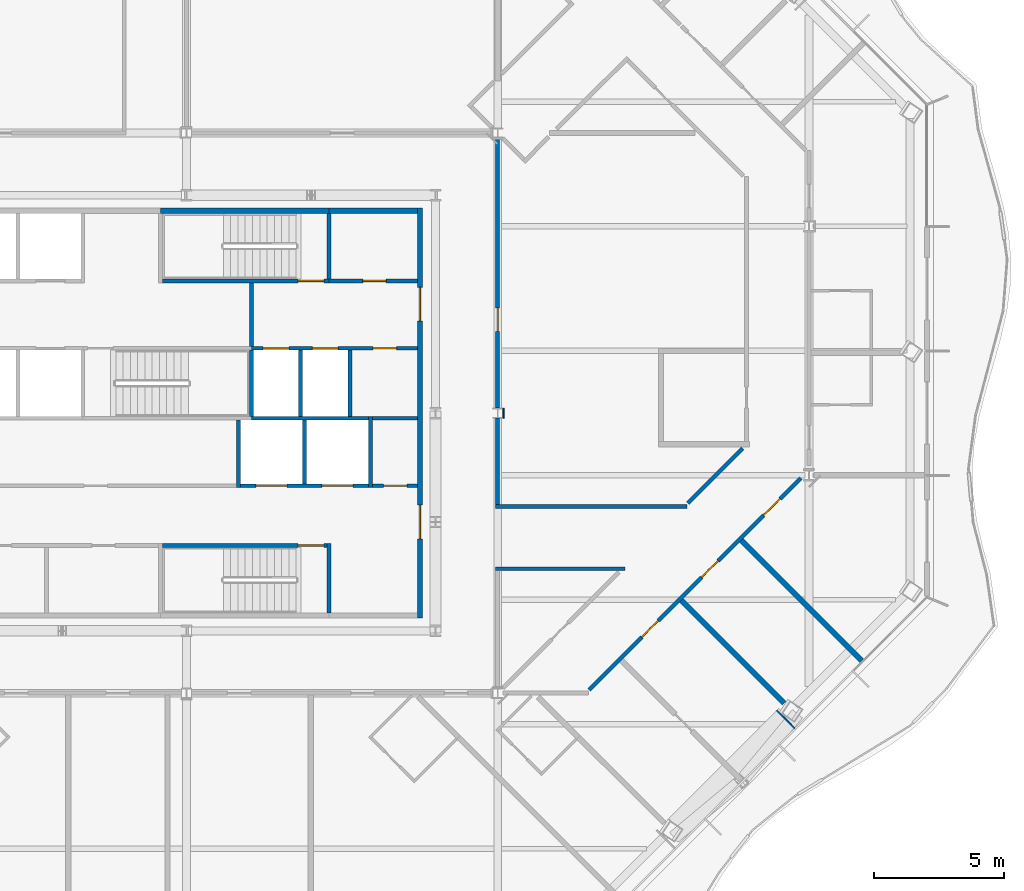
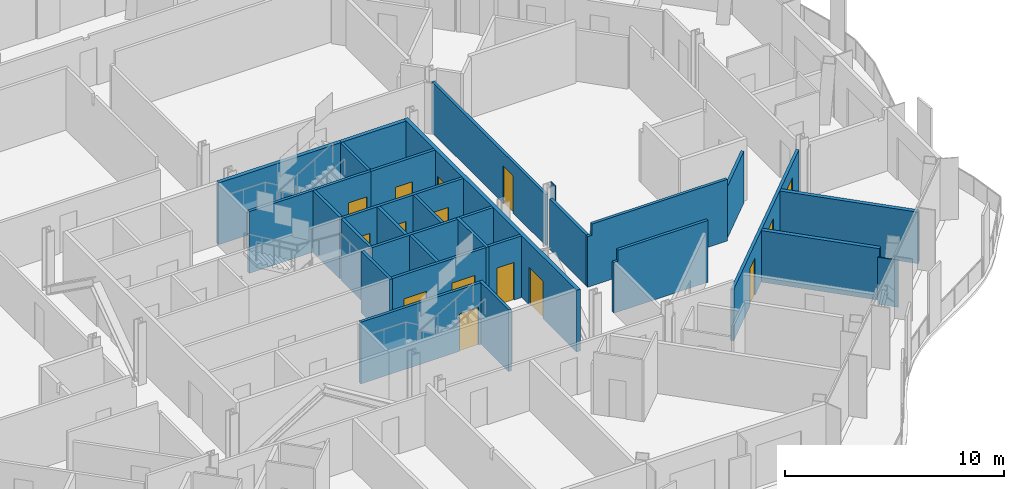
# One storey, part 10 of 21: 30 walls, 15 doors, 15 openings.
"""IFC4 building model written with IfcOpenShell, lengths in metres."""

from ifc_helpers import new_model, si_unit, direction, frame, frame_2d, origin, place, context, subcontext, project, spatial, polyline, rectangle, outline, extrude, material, layer, layer_set, type_object, element, fill, save


model = new_model("IFC4")

# Units and contexts
model_context = context("Model", 3, precision=1e-05, world=origin(), true_north=direction((0.0, 1.0)))
body_context = subcontext(model_context, "Body", "Model", "MODEL_VIEW")
ifc_project = project(units=[si_unit("LENGTHUNIT", "METRE"), si_unit("AREAUNIT", "SQUARE_METRE"), si_unit("VOLUMEUNIT", "CUBIC_METRE"), si_unit("PLANEANGLEUNIT", "RADIAN"), si_unit("MASSUNIT", "GRAM", prefix="KILO")], contexts=[model_context])

# Site, building, storey
site_placement = place(None, origin())
site = spatial("IfcSite", under=ifc_project, at=site_placement, CompositionType="ELEMENT")
building_placement = place(site_placement, origin())
building = spatial("IfcBuilding", under=site, at=building_placement, Name="Cairn Pilgrim Tower", CompositionType="ELEMENT")
storey_placement = place(building_placement, frame((0.0, 0.0, 172.199951171875)))
storey = spatial("IfcBuildingStorey", under=building, at=storey_placement, Name="L43", CompositionType="ELEMENT", Elevation=172.199951171875)

# Wall
ifc_material_1 = material(Name="Concrete C32/40", Category="concrete")
ifc_layer_1 = layer(ifc_material_1, 0.199951171875)
ifc_layer_set_1 = layer_set([ifc_layer_1], Name="CORE OUTER WALL 200 EI 120")
wall_type_1 = type_object("IfcWallType", Name="CORE OUTER WALL 200 EI 120", PredefinedType="SOLIDWALL", material=ifc_layer_set_1)
wall_1_placement = place(storey_placement, frame((12.699951171875, 10.199951171875, 0.0), z_axis=(0.0, 0.0, 1.0), x_axis=(1.0, 0.0, 0.0)))
element("IfcWall", 1, at=wall_1_placement, inside=storey, type_object=wall_type_1, Name="CW:L43:H12-3", PredefinedType="SOLIDWALL", context=body_context, shape_type="SweptSolid", body=[
    extrude(rectangle(XDim=3.400146484375, YDim=0.199951171875, at=frame_2d((1.7001953125, 0.0))), origin(), (0.0, 0.0, 1.0), 3.449951171875),
])

# Wall, openings, doors
wall_2_placement = place(storey_placement, frame((16.199951171875, -5.5, 0.0), z_axis=(0.0, 0.0, 1.0), x_axis=(0.0, 1.0, 0.0)))
wall_2 = element("IfcWall", 2, at=wall_2_placement, inside=storey, type_object=wall_type_1, Name="CW:L43:V30", PredefinedType="SOLIDWALL", context=body_context, shape_type="SweptSolid", body=[
    extrude(rectangle(XDim=15.800048828125, YDim=0.199951171875, at=frame_2d((7.89990234375, 0.0))), origin(), (0.0, 0.0, 1.0), 3.449951171875),
])
opening_1_placement = place(wall_2_placement, frame((3.050048828125, 0.0, 0.0)))
opening_1 = element("IfcOpeningElement", 3, at=opening_1_placement, cuts=wall_2, Name="Opening CD-E1", PredefinedType="OPENING", context=body_context, shape_type="SweptSolid", body=[
    extrude(rectangle(XDim=1.300048828125, YDim=2.10009765625, at=frame_2d((0.64990234375, 1.050048828125))), frame((0.0, 0.10986328125, 0.0), z_axis=(0.0, -1.0, 0.0), x_axis=(1.0, 0.0, 0.0)), (0.0, 0.0, 1.0), 0.219970703125),
])
opening_2_placement = place(wall_2_placement, frame((11.449951171875, 0.0, 0.0)))
opening_2 = element("IfcOpeningElement", 4, at=opening_2_placement, cuts=wall_2, Name="Opening CD-E2", PredefinedType="OPENING", context=body_context, shape_type="SweptSolid", body=[
    extrude(rectangle(XDim=1.300048828125, YDim=2.10009765625, at=frame_2d((0.64990234375, 1.050048828125))), frame((0.0, 0.10986328125, 0.0), z_axis=(0.0, -1.0, 0.0), x_axis=(1.0, 0.0, 0.0)), (0.0, 0.0, 1.0), 0.219970703125),
])
ifc_material_2 = material(Name="Painted steel", Category="steel")
door_type_1 = type_object("IfcDoorType", Name="CORE LOBBY DOOR 1300x2100", OperationType="DOUBLE_DOOR_SINGLE_SWING", PredefinedType="DOOR", material=ifc_material_2)
door_1_placement = place(opening_1_placement, origin())
door_1 = element("IfcDoor", 5, at=door_1_placement, inside=storey, type_object=door_type_1, Name="CD-E1", OperationType="DOUBLE_DOOR_SINGLE_SWING", OverallHeight=2.10009765625, OverallWidth=1.300048828125, PredefinedType="DOOR", context=body_context, shape_type="SweptSolid", body=[
    extrude(rectangle(XDim=1.300048828125, YDim=2.10009765625, at=frame_2d((0.64990234375, 1.050048828125))), frame((0.0, 0.02490234375, 0.0), z_axis=(0.0, -1.0, 0.0), x_axis=(1.0, 0.0, 0.0)), (0.0, 0.0, 1.0), 0.050048828125),
])
fill(opening_1, door_1)
door_2_placement = place(opening_2_placement, origin())
door_2 = element("IfcDoor", 6, at=door_2_placement, inside=storey, type_object=door_type_1, Name="CD-E2", OperationType="DOUBLE_DOOR_SINGLE_SWING", OverallHeight=2.10009765625, OverallWidth=1.300048828125, PredefinedType="DOOR", context=body_context, shape_type="SweptSolid", body=[
    extrude(rectangle(XDim=1.300048828125, YDim=2.10009765625, at=frame_2d((0.64990234375, 1.050048828125))), frame((0.0, 0.02490234375, 0.0), z_axis=(0.0, -1.0, 0.0), x_axis=(1.0, 0.0, 0.0)), (0.0, 0.0, 1.0), 0.050048828125),
])
fill(opening_2, door_2)

# Wall, opening, door
ifc_layer_2 = layer(ifc_material_1, 0.14990234375)
ifc_layer_set_2 = layer_set([ifc_layer_2], Name="CORE PARTITION 150 EI 60")
wall_type_2 = type_object("IfcWallType", Name="CORE PARTITION 150 EI 60", PredefinedType="PARTITIONING", material=ifc_layer_set_2)
wall_3_placement = place(storey_placement, frame((14.375, -0.39990234375, 0.0), z_axis=(0.0, 0.0, 1.0), x_axis=(1.0, 0.0, 0.0)))
wall_3 = element("IfcWall", 7, at=wall_3_placement, inside=storey, type_object=wall_type_2, Name="CW:L43:H06", PredefinedType="PARTITIONING", context=body_context, shape_type="SweptSolid", body=[
    extrude(rectangle(XDim=1.72509765625, YDim=0.14990234375, at=frame_2d((0.862548828125, 0.0))), origin(), (0.0, 0.0, 1.0), 3.449951171875),
])
opening_3_placement = place(wall_3_placement, frame((0.425048828125, 0.0, 0.0)))
opening_3 = element("IfcOpeningElement", 8, at=opening_3_placement, cuts=wall_3, Name="Opening RD-R2E", PredefinedType="OPENING", context=body_context, shape_type="SweptSolid", body=[
    extrude(rectangle(XDim=0.89990234375, YDim=2.10009765625, at=frame_2d((0.449951171875, 1.050048828125))), frame((0.0, 0.0849609375, 0.0), z_axis=(0.0, -1.0, 0.0), x_axis=(1.0, 0.0, 0.0)), (0.0, 0.0, 1.0), 0.169921875),
])
door_type_2 = type_object("IfcDoorType", Name="SERVICE ROOM DOOR 900x2100", OperationType="SINGLE_SWING_LEFT", PredefinedType="DOOR", material=ifc_material_2)
door_3_placement = place(opening_3_placement, origin())
door_3 = element("IfcDoor", 9, at=door_3_placement, inside=storey, type_object=door_type_2, Name="RD-R2E", OperationType="SINGLE_SWING_LEFT", OverallHeight=2.10009765625, OverallWidth=0.89990234375, PredefinedType="DOOR", context=body_context, shape_type="SweptSolid", body=[
    extrude(rectangle(XDim=0.89990234375, YDim=2.10009765625, at=frame_2d((0.449951171875, 1.050048828125))), frame((0.0, 0.02490234375, 0.0), z_axis=(0.0, -1.0, 0.0), x_axis=(1.0, 0.0, 0.0)), (0.0, 0.0, 1.0), 0.050048828125),
])
fill(opening_3, door_3)

# Wall
wall_4_placement = place(storey_placement, frame((14.375, 2.199951171875, 0.0), z_axis=(0.0, 0.0, 1.0), x_axis=(1.0, 0.0, 0.0)))
element("IfcWall", 10, at=wall_4_placement, inside=storey, type_object=wall_type_2, Name="CW:L43:H08", PredefinedType="PARTITIONING", context=body_context, shape_type="SweptSolid", body=[
    extrude(rectangle(XDim=1.72509765625, YDim=0.14990234375, at=frame_2d((0.862548828125, 0.0))), origin(), (0.0, 0.0, 1.0), 3.449951171875),
])

# Wall, openings, doors
ifc_layer_3 = layer(ifc_material_1, 0.14990234375)
ifc_layer_set_3 = layer_set([ifc_layer_3], Name="CORE SHAFT WALL 150 EI 120")
wall_type_3 = type_object("IfcWallType", Name="CORE SHAFT WALL 150 EI 120", PredefinedType="SOLIDWALL", material=ifc_layer_set_3)
wall_5_placement = place(storey_placement, frame((9.27490234375, -0.39990234375, 0.0), z_axis=(0.0, 0.0, 1.0), x_axis=(1.0, 0.0, 0.0)))
wall_5 = element("IfcWall", 11, at=wall_5_placement, inside=storey, type_object=wall_type_3, Name="CW:L43:H05", PredefinedType="SOLIDWALL", context=body_context, shape_type="SweptSolid", body=[
    extrude(rectangle(XDim=4.9501953125, YDim=0.14990234375, at=frame_2d((2.47509765625, 0.0))), origin(), (0.0, 0.0, 1.0), 3.449951171875),
])
opening_4_placement = place(wall_5_placement, frame((0.60009765625, 0.0, 0.0)))
opening_4 = element("IfcOpeningElement", 12, at=opening_4_placement, cuts=wall_5, Name="Opening LD-SV1", PredefinedType="OPENING", context=body_context, shape_type="SweptSolid", body=[
    extrude(rectangle(XDim=1.199951171875, YDim=2.10009765625, at=frame_2d((0.60009765625, 1.050048828125))), frame((0.0, 0.0849609375, 0.0), z_axis=(0.0, -1.0, 0.0), x_axis=(1.0, 0.0, 0.0)), (0.0, 0.0, 1.0), 0.169921875),
])
opening_5_placement = place(wall_5_placement, frame((3.14990234375, 0.0, 0.0)))
opening_5 = element("IfcOpeningElement", 13, at=opening_5_placement, cuts=wall_5, Name="Opening LD-SV2", PredefinedType="OPENING", context=body_context, shape_type="SweptSolid", body=[
    extrude(rectangle(XDim=1.199951171875, YDim=2.10009765625, at=frame_2d((0.60009765625, 1.050048828125))), frame((0.0, 0.0849609375, 0.0), z_axis=(0.0, -1.0, 0.0), x_axis=(1.0, 0.0, 0.0)), (0.0, 0.0, 1.0), 0.169921875),
])
ifc_material_3 = material(Name="Stainless steel", Category="steel")
door_type_3 = type_object("IfcDoorType", Name="LIFT LANDING DOOR 1200x2100", OperationType="DOUBLE_DOOR_SLIDING", PredefinedType="DOOR", material=ifc_material_3)
door_4_placement = place(opening_4_placement, origin())
door_4 = element("IfcDoor", 14, at=door_4_placement, inside=storey, type_object=door_type_3, Name="LANDING DOOR SV1", OperationType="DOUBLE_DOOR_SLIDING", OverallHeight=2.10009765625, OverallWidth=1.199951171875, PredefinedType="DOOR", context=body_context, shape_type="SweptSolid", body=[
    extrude(rectangle(XDim=1.199951171875, YDim=2.10009765625, at=frame_2d((0.60009765625, 1.050048828125))), frame((0.0, 0.02490234375, 0.0), z_axis=(0.0, -1.0, 0.0), x_axis=(1.0, 0.0, 0.0)), (0.0, 0.0, 1.0), 0.050048828125),
])
fill(opening_4, door_4)
door_5_placement = place(opening_5_placement, origin())
door_5 = element("IfcDoor", 15, at=door_5_placement, inside=storey, type_object=door_type_3, Name="LANDING DOOR SV2", OperationType="DOUBLE_DOOR_SLIDING", OverallHeight=2.10009765625, OverallWidth=1.199951171875, PredefinedType="DOOR", context=body_context, shape_type="SweptSolid", body=[
    extrude(rectangle(XDim=1.199951171875, YDim=2.10009765625, at=frame_2d((0.60009765625, 1.050048828125))), frame((0.0, 0.02490234375, 0.0), z_axis=(0.0, -1.0, 0.0), x_axis=(1.0, 0.0, 0.0)), (0.0, 0.0, 1.0), 0.050048828125),
])
fill(opening_5, door_5)

# Wall
wall_6_placement = place(storey_placement, frame((9.699951171875, 2.199951171875, 0.0), z_axis=(0.0, 0.0, 1.0), x_axis=(1.0, 0.0, 0.0)))
element("IfcWall", 16, at=wall_6_placement, inside=storey, type_object=wall_type_3, Name="CW:L43:H07-3", PredefinedType="SOLIDWALL", context=body_context, shape_type="SweptSolid", body=[
    extrude(rectangle(XDim=4.525146484375, YDim=0.14990234375, at=frame_2d((2.2626953125, 0.0))), origin(), (0.0, 0.0, 1.0), 3.449951171875),
])

# Wall, openings, doors
wall_7_placement = place(storey_placement, frame((9.699951171875, 4.89990234375, 0.0), z_axis=(0.0, 0.0, 1.0), x_axis=(1.0, 0.0, 0.0)))
wall_7 = element("IfcWall", 17, at=wall_7_placement, inside=storey, type_object=wall_type_3, Name="CW:L43:H09-3", PredefinedType="SOLIDWALL", context=body_context, shape_type="SweptSolid", body=[
    extrude(rectangle(XDim=6.400146484375, YDim=0.14990234375, at=frame_2d((3.2001953125, 0.0))), origin(), (0.0, 0.0, 1.0), 3.449951171875),
])
opening_6_placement = place(wall_7_placement, frame((0.449951171875, 0.0, 0.0)))
opening_6 = element("IfcOpeningElement", 18, at=opening_6_placement, cuts=wall_7, Name="Opening LD-FF1", PredefinedType="OPENING", context=body_context, shape_type="SweptSolid", body=[
    extrude(rectangle(XDim=1.0, YDim=2.10009765625, at=frame_2d((0.5, 1.050048828125))), frame((0.0, 0.0849609375, 0.0), z_axis=(0.0, -1.0, 0.0), x_axis=(1.0, 0.0, 0.0)), (0.0, 0.0, 1.0), 0.169921875),
])
opening_7_placement = place(wall_7_placement, frame((2.35009765625, 0.0, 0.0)))
opening_7 = element("IfcOpeningElement", 19, at=opening_7_placement, cuts=wall_7, Name="Opening LD-FF2", PredefinedType="OPENING", context=body_context, shape_type="SweptSolid", body=[
    extrude(rectangle(XDim=1.0, YDim=2.10009765625, at=frame_2d((0.5, 1.050048828125))), frame((0.0, 0.0849609375, 0.0), z_axis=(0.0, -1.0, 0.0), x_axis=(1.0, 0.0, 0.0)), (0.0, 0.0, 1.0), 0.169921875),
])
opening_8_placement = place(wall_7_placement, frame((4.699951171875, 0.0, 0.0)))
opening_8 = element("IfcOpeningElement", 20, at=opening_8_placement, cuts=wall_7, Name="Opening RD-R3E", PredefinedType="OPENING", context=body_context, shape_type="SweptSolid", body=[
    extrude(rectangle(XDim=0.89990234375, YDim=2.10009765625, at=frame_2d((0.449951171875, 1.050048828125))), frame((0.0, 0.0849609375, 0.0), z_axis=(0.0, -1.0, 0.0), x_axis=(1.0, 0.0, 0.0)), (0.0, 0.0, 1.0), 0.169921875),
])
door_type_4 = type_object("IfcDoorType", Name="LIFT LANDING DOOR FIRE 1000x2100", OperationType="DOUBLE_DOOR_SLIDING", PredefinedType="DOOR", material=ifc_material_3)
door_6_placement = place(opening_6_placement, origin())
door_6 = element("IfcDoor", 21, at=door_6_placement, inside=storey, type_object=door_type_4, Name="LANDING DOOR FF1", OperationType="DOUBLE_DOOR_SLIDING", OverallHeight=2.10009765625, OverallWidth=1.0, PredefinedType="DOOR", context=body_context, shape_type="SweptSolid", body=[
    extrude(rectangle(XDim=1.0, YDim=2.10009765625, at=frame_2d((0.5, 1.050048828125))), frame((0.0, 0.02490234375, 0.0), z_axis=(0.0, -1.0, 0.0), x_axis=(1.0, 0.0, 0.0)), (0.0, 0.0, 1.0), 0.050048828125),
])
fill(opening_6, door_6)
door_7_placement = place(opening_7_placement, origin())
door_7 = element("IfcDoor", 22, at=door_7_placement, inside=storey, type_object=door_type_4, Name="LANDING DOOR FF2", OperationType="DOUBLE_DOOR_SLIDING", OverallHeight=2.10009765625, OverallWidth=1.0, PredefinedType="DOOR", context=body_context, shape_type="SweptSolid", body=[
    extrude(rectangle(XDim=1.0, YDim=2.10009765625, at=frame_2d((0.5, 1.050048828125))), frame((0.0, 0.02490234375, 0.0), z_axis=(0.0, -1.0, 0.0), x_axis=(1.0, 0.0, 0.0)), (0.0, 0.0, 1.0), 0.050048828125),
])
fill(opening_7, door_7)
door_8_placement = place(opening_8_placement, origin())
door_8 = element("IfcDoor", 23, at=door_8_placement, inside=storey, type_object=door_type_2, Name="RD-R3E", OperationType="SINGLE_SWING_RIGHT", OverallHeight=2.10009765625, OverallWidth=0.89990234375, PredefinedType="DOOR", context=body_context, shape_type="SweptSolid", body=[
    extrude(rectangle(XDim=0.89990234375, YDim=2.10009765625, at=frame_2d((0.449951171875, 1.050048828125))), frame((0.0, 0.02490234375, 0.0), z_axis=(0.0, -1.0, 0.0), x_axis=(1.0, 0.0, 0.0)), (0.0, 0.0, 1.0), 0.050048828125),
])
fill(opening_8, door_8)

# Wall, opening, door
wall_8_placement = place(storey_placement, frame((12.699951171875, 7.5, 0.0), z_axis=(0.0, 0.0, 1.0), x_axis=(1.0, 0.0, 0.0)))
wall_8 = element("IfcWall", 24, at=wall_8_placement, inside=storey, type_object=wall_type_3, Name="CW:L43:H11-2", PredefinedType="SOLIDWALL", context=body_context, shape_type="SweptSolid", body=[
    extrude(rectangle(XDim=3.400146484375, YDim=0.14990234375, at=frame_2d((1.7001953125, 0.0))), origin(), (0.0, 0.0, 1.0), 3.449951171875),
])
opening_9_placement = place(wall_8_placement, frame((1.300048828125, 0.0, 0.0)))
opening_9 = element("IfcOpeningElement", 25, at=opening_9_placement, cuts=wall_8, Name="Opening RD-R4E", PredefinedType="OPENING", context=body_context, shape_type="SweptSolid", body=[
    extrude(rectangle(XDim=0.89990234375, YDim=2.10009765625, at=frame_2d((0.449951171875, 1.050048828125))), frame((0.0, 0.0849609375, 0.0), z_axis=(0.0, -1.0, 0.0), x_axis=(1.0, 0.0, 0.0)), (0.0, 0.0, 1.0), 0.169921875),
])
door_9_placement = place(opening_9_placement, origin())
door_9 = element("IfcDoor", 26, at=door_9_placement, inside=storey, type_object=door_type_2, Name="RD-R4E", OperationType="SINGLE_SWING_LEFT", OverallHeight=2.10009765625, OverallWidth=0.89990234375, PredefinedType="DOOR", context=body_context, shape_type="SweptSolid", body=[
    extrude(rectangle(XDim=0.89990234375, YDim=2.10009765625, at=frame_2d((0.449951171875, 1.050048828125))), frame((0.0, 0.02490234375, 0.0), z_axis=(0.0, -1.0, 0.0), x_axis=(1.0, 0.0, 0.0)), (0.0, 0.0, 1.0), 0.050048828125),
])
fill(opening_9, door_9)

# Walls
wall_9_placement = place(storey_placement, frame((9.199951171875, -0.47509765625, 0.0), z_axis=(0.0, 0.0, 1.0), x_axis=(0.0, 1.0, 0.0)))
element("IfcWall", 27, at=wall_9_placement, inside=storey, type_object=wall_type_3, Name="CW:L43:V21", PredefinedType="SOLIDWALL", context=body_context, shape_type="SweptSolid", body=[
    extrude(rectangle(XDim=2.60009765625, YDim=0.14990234375, at=frame_2d((1.300048828125, 0.0))), origin(), (0.0, 0.0, 1.0), 3.449951171875),
])
wall_10_placement = place(storey_placement, frame((9.699951171875, 4.97509765625, 0.0), z_axis=(0.0, 0.0, 1.0), x_axis=(0.0, 1.0, 0.0)))
element("IfcWall", 28, at=wall_10_placement, inside=storey, type_object=wall_type_3, Name="CW:L43:V23", PredefinedType="SOLIDWALL", context=body_context, shape_type="SweptSolid", body=[
    extrude(rectangle(XDim=2.449951171875, YDim=0.14990234375, at=frame_2d((1.22509765625, 0.0))), origin(), (0.0, 0.0, 1.0), 3.449951171875),
])
wall_11_placement = place(storey_placement, frame((11.60009765625, 2.27490234375, 0.0), z_axis=(0.0, 0.0, 1.0), x_axis=(0.0, 1.0, 0.0)))
element("IfcWall", 29, at=wall_11_placement, inside=storey, type_object=wall_type_3, Name="CW:L43:V24", PredefinedType="SOLIDWALL", context=body_context, shape_type="SweptSolid", body=[
    extrude(rectangle(XDim=2.550048828125, YDim=0.14990234375, at=frame_2d((1.27490234375, 0.0))), origin(), (0.0, 0.0, 1.0), 3.449951171875),
])
wall_12_placement = place(storey_placement, frame((11.75, -0.324951171875, 0.0), z_axis=(0.0, 0.0, 1.0), x_axis=(0.0, 1.0, 0.0)))
element("IfcWall", 30, at=wall_12_placement, inside=storey, type_object=wall_type_3, Name="CW:L43:V25", PredefinedType="SOLIDWALL", context=body_context, shape_type="SweptSolid", body=[
    extrude(rectangle(XDim=2.449951171875, YDim=0.14990234375, at=frame_2d((1.22509765625, 0.0))), origin(), (0.0, 0.0, 1.0), 3.449951171875),
])
wall_13_placement = place(storey_placement, frame((13.5, 2.27490234375, 0.0), z_axis=(0.0, 0.0, 1.0), x_axis=(0.0, 1.0, 0.0)))
element("IfcWall", 31, at=wall_13_placement, inside=storey, type_object=wall_type_3, Name="CW:L43:V28", PredefinedType="SOLIDWALL", context=body_context, shape_type="SweptSolid", body=[
    extrude(rectangle(XDim=2.550048828125, YDim=0.14990234375, at=frame_2d((1.27490234375, 0.0))), origin(), (0.0, 0.0, 1.0), 3.449951171875),
])
wall_14_placement = place(storey_placement, frame((14.300048828125, -0.47509765625, 0.0), z_axis=(0.0, 0.0, 1.0), x_axis=(0.0, 1.0, 0.0)))
element("IfcWall", 32, at=wall_14_placement, inside=storey, type_object=wall_type_3, Name="CW:L43:V29", PredefinedType="SOLIDWALL", context=body_context, shape_type="SweptSolid", body=[
    extrude(rectangle(XDim=2.75, YDim=0.14990234375, at=frame_2d((1.375, 0.0))), origin(), (0.0, 0.0, 1.0), 3.449951171875),
])

# Wall, openings, doors
ifc_material_4 = material(Name="Gypsum partition")
ifc_layer_4 = layer(ifc_material_4, 0.14990234375)
ifc_layer_set_4 = layer_set([ifc_layer_4], Name="PARTITION 150 DRYWALL EI 60")
wall_type_4 = type_object("IfcWallType", Name="PARTITION 150 DRYWALL EI 60", PredefinedType="PARTITIONING", material=ifc_layer_set_4)
wall_15_placement = place(storey_placement, frame((22.721923828125, -8.27197265625, 0.0), z_axis=(0.0, 0.0, 1.0), x_axis=(0.707106781187, 0.707106781187, 0.0)))
wall_15 = element("IfcWall", 33, at=wall_15_placement, inside=storey, type_object=wall_type_4, Name="PARTITION W034", PredefinedType="PARTITIONING", context=body_context, shape_type="SweptSolid", body=[
    extrude(rectangle(XDim=11.549072265625, YDim=0.14990234375, at=frame_2d((5.7744140625, 0.0))), origin(), (0.0, 0.0, 1.0), 2.880126953125),
])
opening_10_placement = place(wall_15_placement, frame((2.873291015625, 0.0, 0.0)))
opening_10 = element("IfcOpeningElement", 34, at=opening_10_placement, cuts=wall_15, Name="Opening 4305", PredefinedType="OPENING", context=body_context, shape_type="SweptSolid", body=[
    extrude(rectangle(XDim=0.89990234375, YDim=2.10009765625, at=frame_2d((0.449951171875, 1.050048828125))), frame((0.0, 0.0849609375, 0.0), z_axis=(0.0, -1.0, 0.0), x_axis=(1.0, 0.0, 0.0)), (0.0, 0.0, 1.0), 0.169921875),
])
opening_11_placement = place(wall_15_placement, frame((6.142822265625, 0.0, 0.0)))
opening_11 = element("IfcOpeningElement", 35, at=opening_11_placement, cuts=wall_15, Name="Opening 4306", PredefinedType="OPENING", context=body_context, shape_type="SweptSolid", body=[
    extrude(rectangle(XDim=0.89990234375, YDim=2.10009765625, at=frame_2d((0.449951171875, 1.050048828125))), frame((0.0, 0.0849609375, 0.0), z_axis=(0.0, -1.0, 0.0), x_axis=(1.0, 0.0, 0.0)), (0.0, 0.0, 1.0), 0.169921875),
])
opening_12_placement = place(wall_15_placement, frame((9.513427734375, 0.0, 0.0)))
opening_12 = element("IfcOpeningElement", 36, at=opening_12_placement, cuts=wall_15, Name="Opening 4307", PredefinedType="OPENING", context=body_context, shape_type="SweptSolid", body=[
    extrude(rectangle(XDim=0.89990234375, YDim=2.10009765625, at=frame_2d((0.449951171875, 1.050048828125))), frame((0.0, 0.0849609375, 0.0), z_axis=(0.0, -1.0, 0.0), x_axis=(1.0, 0.0, 0.0)), (0.0, 0.0, 1.0), 0.169921875),
])
ifc_material_5 = material(Name="Timber door leaf", Category="wood")
door_type_5 = type_object("IfcDoorType", Name="ROOM DOOR 900x2100 FD30S", OperationType="NOTDEFINED", PredefinedType="DOOR", material=ifc_material_5)
door_10_placement = place(opening_11_placement, frame((0.89990234375, 0.0, 0.0), z_axis=(0.0, 0.0, 1.0), x_axis=(-1.0, 0.0, 0.0)))
door_10 = element("IfcDoor", 37, at=door_10_placement, inside=storey, type_object=door_type_5, Name="DOOR 4306", OperationType="SINGLE_SWING_RIGHT", OverallHeight=2.10009765625, OverallWidth=0.89990234375, PredefinedType="DOOR", context=body_context, shape_type="SweptSolid", body=[
    extrude(rectangle(XDim=0.89990234375, YDim=2.10009765625, at=frame_2d((0.449951171875, 1.050048828125))), frame((0.0, 0.02490234375, 0.0), z_axis=(0.0, -1.0, 0.0), x_axis=(1.0, 0.0, 0.0)), (0.0, 0.0, 1.0), 0.050048828125),
])
fill(opening_11, door_10)
door_11_placement = place(opening_12_placement, frame((0.89990234375, 0.0, 0.0), z_axis=(0.0, 0.0, 1.0), x_axis=(-1.0, 0.0, 0.0)))
door_11 = element("IfcDoor", 38, at=door_11_placement, inside=storey, type_object=door_type_5, Name="DOOR 4307", OperationType="SINGLE_SWING_RIGHT", OverallHeight=2.10009765625, OverallWidth=0.89990234375, PredefinedType="DOOR", context=body_context, shape_type="SweptSolid", body=[
    extrude(rectangle(XDim=0.89990234375, YDim=2.10009765625, at=frame_2d((0.449951171875, 1.050048828125))), frame((0.0, 0.02490234375, 0.0), z_axis=(0.0, -1.0, 0.0), x_axis=(1.0, 0.0, 0.0)), (0.0, 0.0, 1.0), 0.050048828125),
])
fill(opening_12, door_11)
door_type_6 = type_object("IfcDoorType", Name="SERVICE DOOR 900x2100 FD30S", OperationType="NOTDEFINED", PredefinedType="DOOR", material=ifc_material_5)
door_12_placement = place(opening_10_placement, frame((0.89990234375, 0.0, 0.0), z_axis=(0.0, 0.0, 1.0), x_axis=(-1.0, 0.0, 0.0)))
door_12 = element("IfcDoor", 39, at=door_12_placement, inside=storey, type_object=door_type_6, Name="DOOR 4305", OperationType="SINGLE_SWING_RIGHT", OverallHeight=2.10009765625, OverallWidth=0.89990234375, PredefinedType="DOOR", context=body_context, shape_type="SweptSolid", body=[
    extrude(rectangle(XDim=0.89990234375, YDim=2.10009765625, at=frame_2d((0.449951171875, 1.050048828125))), frame((0.0, 0.02490234375, 0.0), z_axis=(0.0, -1.0, 0.0), x_axis=(1.0, 0.0, 0.0)), (0.0, 0.0, 1.0), 0.050048828125),
])
fill(opening_10, door_12)

# Walls
wall_16_placement = place(storey_placement, frame((19.125, -3.60009765625, 0.0), z_axis=(0.0, 0.0, 1.0), x_axis=(1.0, 0.0, 0.0)))
element("IfcWall", 40, at=wall_16_placement, inside=storey, type_object=wall_type_4, Name="PARTITION W042", PredefinedType="PARTITIONING", context=body_context, shape_type="SweptSolid", body=[
    extrude(outline(polyline([(0.0, 0.0), (4.981201171875, 0.0), (4.981201171875, 3.449951171875), (0.22509765625, 3.449951171875), (0.222900390625, 2.830078125), (0.0, 2.830078125), (0.0, 0.0)])), frame((0.0, 0.074951171875, 0.0), z_axis=(0.0, -1.0, 0.0), x_axis=(1.0, 0.0, 0.0)), (0.0, 0.0, 1.0), 0.14990234375),
])
wall_17_placement = place(storey_placement, frame((19.125, -1.199951171875, 0.0), z_axis=(0.0, 0.0, 1.0), x_axis=(1.0, 0.0, 0.0)))
element("IfcWall", 41, at=wall_17_placement, inside=storey, type_object=wall_type_4, Name="PARTITION W044", PredefinedType="PARTITIONING", context=body_context, shape_type="SweptSolid", body=[
    extrude(outline(polyline([(0.0, 0.0), (7.381103515625, 0.0), (7.381103515625, 3.449951171875), (0.22509765625, 3.449951171875), (0.222900390625, 2.830078125), (0.0, 2.830078125), (0.0, 0.0)])), frame((0.0, 0.074951171875, 0.0), z_axis=(0.0, -1.0, 0.0), x_axis=(1.0, 0.0, 0.0)), (0.0, 0.0, 1.0), 0.14990234375),
])
wall_18_placement = place(storey_placement, frame((19.199951171875, -1.125, 0.0), z_axis=(0.0, 0.0, 1.0), x_axis=(0.0, 1.0, 0.0)))
element("IfcWall", 42, at=wall_18_placement, inside=storey, type_object=wall_type_4, Name="PARTITION W048", PredefinedType="PARTITIONING", context=body_context, shape_type="SweptSolid", body=[
    extrude(rectangle(XDim=3.32861328125, YDim=0.14990234375, at=frame_2d((1.664306640625, 0.0))), origin(), (0.0, 0.0, 1.0), 2.830078125),
])
wall_19_placement = place(storey_placement, frame((26.528076171875, -1.072021484375, 0.0), z_axis=(0.0, 0.0, 1.0), x_axis=(0.707106781187, 0.707106781187, 0.0)))
element("IfcWall", 43, at=wall_19_placement, inside=storey, type_object=wall_type_4, Name="PARTITION W049", PredefinedType="PARTITIONING", context=body_context, shape_type="SweptSolid", body=[
    extrude(rectangle(XDim=2.99658203125, YDim=0.14990234375, at=frame_2d((1.498291015625, 0.0))), origin(), (0.0, 0.0, 1.0), 2.880126953125),
])

# Wall, opening, door
wall_20_placement = place(storey_placement, frame((19.199951171875, 2.596435546875, 0.0), z_axis=(0.0, 0.0, 1.0), x_axis=(0.0, 1.0, 0.0)))
wall_20 = element("IfcWall", 44, at=wall_20_placement, inside=storey, type_object=wall_type_4, Name="PARTITION W062", PredefinedType="PARTITIONING", context=body_context, shape_type="SweptSolid", body=[
    extrude(rectangle(XDim=10.406982421875, YDim=0.14990234375, at=frame_2d((5.20361328125, 0.0))), origin(), (0.0, 0.0, 1.0), 2.830078125),
])
opening_13_placement = place(wall_20_placement, frame((2.95361328125, 0.0, 0.0)))
opening_13 = element("IfcOpeningElement", 45, at=opening_13_placement, cuts=wall_20, Name="Opening 4330", PredefinedType="OPENING", context=body_context, shape_type="SweptSolid", body=[
    extrude(rectangle(XDim=0.89990234375, YDim=2.10009765625, at=frame_2d((0.449951171875, 1.050048828125))), frame((0.0, 0.0849609375, 0.0), z_axis=(0.0, -1.0, 0.0), x_axis=(1.0, 0.0, 0.0)), (0.0, 0.0, 1.0), 0.169921875),
])
door_13_placement = place(opening_13_placement, frame((0.89990234375, 0.0, 0.0), z_axis=(0.0, 0.0, 1.0), x_axis=(-1.0, 0.0, 0.0)))
door_13 = element("IfcDoor", 46, at=door_13_placement, inside=storey, type_object=door_type_6, Name="DOOR 4330", OperationType="SINGLE_SWING_LEFT", OverallHeight=2.10009765625, OverallWidth=0.89990234375, PredefinedType="DOOR", context=body_context, shape_type="SweptSolid", body=[
    extrude(rectangle(XDim=0.89990234375, YDim=2.10009765625, at=frame_2d((0.449951171875, 1.050048828125))), frame((0.0, 0.02490234375, 0.0), z_axis=(0.0, -1.0, 0.0), x_axis=(1.0, 0.0, 0.0)), (0.0, 0.0, 1.0), 0.050048828125),
])
fill(opening_13, door_13)

# Walls
ifc_layer_5 = layer(ifc_material_4, 0.050048828125)
ifc_layer_set_5 = layer_set([ifc_layer_5], Name="PARTITION 50 DRYWALL EI 60")
wall_type_5 = type_object("IfcWallType", Name="PARTITION 50 DRYWALL EI 60", PredefinedType="PARTITIONING", material=ifc_layer_set_5)
wall_21_placement = place(storey_placement, frame((30.64599609375, -9.756591796875, 0.0), z_axis=(0.0, 0.0, 1.0), x_axis=(-0.707106781187, 0.707106781187, 0.0)))
element("IfcWall", 47, at=wall_21_placement, inside=storey, type_object=wall_type_5, Name="COLUMN CASING WC05", PredefinedType="PARTITIONING", context=body_context, shape_type="SweptSolid", body=[
    extrude(rectangle(XDim=0.972900390625, YDim=0.050048828125, at=frame_2d((0.486328125, 0.0))), origin(), (0.0, 0.0, 1.0), 2.630126953125),
])
wall_22_placement = place(storey_placement, frame((19.424560546875, 2.20361328125, 0.0), z_axis=(0.0, 0.0, 1.0), x_axis=(0.0, 1.0, 0.0)))
element("IfcWall", 48, at=wall_22_placement, inside=storey, type_object=wall_type_5, Name="COLUMN CASING WC16", PredefinedType="PARTITIONING", context=body_context, shape_type="SweptSolid", body=[
    extrude(rectangle(XDim=0.392822265625, YDim=0.050048828125, at=frame_2d((0.1962890625, 0.0))), origin(), (0.0, 0.0, 1.0), 3.449951171875),
])
ifc_layer_6 = layer(ifc_material_4, 0.199951171875)
ifc_layer_set_6 = layer_set([ifc_layer_6], Name="SHAFT WALL 200 GYPSUM EI 60")
wall_type_6 = type_object("IfcWallType", Name="SHAFT WALL 200 GYPSUM EI 60", PredefinedType="PARTITIONING", material=ifc_layer_set_6)
wall_23_placement = place(storey_placement, frame((30.244384765625, -8.782470703125, 0.0), z_axis=(0.0, 0.0, 1.0), x_axis=(-0.707106781187, 0.707106781187, 0.0)))
element("IfcWall", 49, at=wall_23_placement, inside=storey, type_object=wall_type_6, Name="PARTITION W028", PredefinedType="PARTITIONING", context=body_context, shape_type="SweptSolid", body=[
    extrude(rectangle(XDim=5.60498046875, YDim=0.199951171875, at=frame_2d((2.802490234375, 0.0))), origin(), (0.0, 0.0, 1.0), 2.880126953125),
])
wall_24_placement = place(storey_placement, frame((33.23291015625, -7.14697265625, 0.0), z_axis=(0.0, 0.0, 1.0), x_axis=(-0.707106781187, 0.707106781187, 0.0)))
element("IfcWall", 50, at=wall_24_placement, inside=storey, type_object=wall_type_6, Name="PARTITION W040", PredefinedType="PARTITIONING", context=body_context, shape_type="SweptSolid", body=[
    extrude(rectangle(XDim=6.561767578125, YDim=0.199951171875, at=frame_2d((3.28076171875, 0.0))), origin(), (0.0, 0.0, 1.0), 2.880126953125),
])

# Wall, opening, door
ifc_material_6 = material(Name="Concrete C35/45", Category="concrete")
ifc_layer_7 = layer(ifc_material_6, 0.14990234375)
ifc_layer_set_7 = layer_set([ifc_layer_7], Name="STAIR SHAFT WALL 150 EI 120")
wall_type_7 = type_object("IfcWallType", Name="STAIR SHAFT WALL 150 EI 120", PredefinedType="SOLIDWALL", material=ifc_layer_set_7)
wall_25_placement = place(storey_placement, frame((6.27490234375, -2.699951171875, 0.0), z_axis=(0.0, 0.0, 1.0), x_axis=(1.0, 0.0, 0.0)))
wall_25 = element("IfcWall", 51, at=wall_25_placement, inside=storey, type_object=wall_type_7, Name="CW:L43:H03", PredefinedType="SOLIDWALL", context=body_context, shape_type="SweptSolid", body=[
    extrude(rectangle(XDim=6.35009765625, YDim=0.14990234375, at=frame_2d((3.175048828125, 0.0))), origin(), (0.0, 0.0, 1.0), 3.449951171875),
])
opening_14_placement = place(wall_25_placement, frame((5.22509765625, 0.0, 0.0)))
opening_14 = element("IfcOpeningElement", 52, at=opening_14_placement, cuts=wall_25, Name="Opening SD-A", PredefinedType="OPENING", context=body_context, shape_type="SweptSolid", body=[
    extrude(rectangle(XDim=1.0, YDim=2.10009765625, at=frame_2d((0.5, 1.050048828125))), frame((0.0, 0.0849609375, 0.0), z_axis=(0.0, -1.0, 0.0), x_axis=(1.0, 0.0, 0.0)), (0.0, 0.0, 1.0), 0.169921875),
])
door_type_7 = type_object("IfcDoorType", Name="STAIR DOOR FD60S 1000x2100", OperationType="SINGLE_SWING_LEFT", PredefinedType="DOOR", material=ifc_material_2)
door_14_placement = place(opening_14_placement, origin())
door_14 = element("IfcDoor", 53, at=door_14_placement, inside=storey, type_object=door_type_7, Name="SD-A", OperationType="SINGLE_SWING_RIGHT", OverallHeight=2.10009765625, OverallWidth=1.0, PredefinedType="DOOR", context=body_context, shape_type="SweptSolid", body=[
    extrude(rectangle(XDim=1.0, YDim=2.10009765625, at=frame_2d((0.5, 1.050048828125))), frame((0.0, 0.02490234375, 0.0), z_axis=(0.0, -1.0, 0.0), x_axis=(1.0, 0.0, 0.0)), (0.0, 0.0, 1.0), 0.050048828125),
])
fill(opening_14, door_14)

wall_26_placement = place(storey_placement, frame((6.27490234375, 7.5, 0.0), z_axis=(0.0, 0.0, 1.0), x_axis=(1.0, 0.0, 0.0)))
wall_26 = element("IfcWall", 54, at=wall_26_placement, inside=storey, type_object=wall_type_7, Name="CW:L43:H11-1", PredefinedType="SOLIDWALL", context=body_context, shape_type="SweptSolid", body=[
    extrude(rectangle(XDim=6.425048828125, YDim=0.14990234375, at=frame_2d((3.21240234375, 0.0))), origin(), (0.0, 0.0, 1.0), 3.449951171875),
])
opening_15_placement = place(wall_26_placement, frame((5.22509765625, 0.0, 0.0)))
opening_15 = element("IfcOpeningElement", 55, at=opening_15_placement, cuts=wall_26, Name="Opening SD-C", PredefinedType="OPENING", context=body_context, shape_type="SweptSolid", body=[
    extrude(rectangle(XDim=1.0, YDim=2.10009765625, at=frame_2d((0.5, 1.050048828125))), frame((0.0, 0.0849609375, 0.0), z_axis=(0.0, -1.0, 0.0), x_axis=(1.0, 0.0, 0.0)), (0.0, 0.0, 1.0), 0.169921875),
])
door_15_placement = place(opening_15_placement, origin())
door_15 = element("IfcDoor", 56, at=door_15_placement, inside=storey, type_object=door_type_7, Name="SD-C", OperationType="SINGLE_SWING_RIGHT", OverallHeight=2.10009765625, OverallWidth=1.0, PredefinedType="DOOR", context=body_context, shape_type="SweptSolid", body=[
    extrude(rectangle(XDim=1.0, YDim=2.10009765625, at=frame_2d((0.5, 1.050048828125))), frame((0.0, 0.02490234375, 0.0), z_axis=(0.0, -1.0, 0.0), x_axis=(1.0, 0.0, 0.0)), (0.0, 0.0, 1.0), 0.050048828125),
])
fill(opening_15, door_15)

# Walls
wall_27_placement = place(storey_placement, frame((9.699951171875, 2.27490234375, 0.0), z_axis=(0.0, 0.0, 1.0), x_axis=(0.0, 1.0, 0.0)))
element("IfcWall", 57, at=wall_27_placement, inside=storey, type_object=wall_type_7, Name="CW:L43:V22", PredefinedType="SOLIDWALL", context=body_context, shape_type="SweptSolid", body=[
    extrude(rectangle(XDim=2.550048828125, YDim=0.14990234375, at=frame_2d((1.27490234375, 0.0))), origin(), (0.0, 0.0, 1.0), 3.449951171875),
])
wall_28_placement = place(storey_placement, frame((12.699951171875, -5.300048828125, 0.0), z_axis=(0.0, 0.0, 1.0), x_axis=(0.0, 1.0, 0.0)))
element("IfcWall", 58, at=wall_28_placement, inside=storey, type_object=wall_type_7, Name="CW:L43:V26", PredefinedType="SOLIDWALL", context=body_context, shape_type="SweptSolid", body=[
    extrude(rectangle(XDim=2.675048828125, YDim=0.14990234375, at=frame_2d((1.33740234375, 0.0))), origin(), (0.0, 0.0, 1.0), 3.449951171875),
])
wall_29_placement = place(storey_placement, frame((12.699951171875, 7.574951171875, 0.0), z_axis=(0.0, 0.0, 1.0), x_axis=(0.0, 1.0, 0.0)))
element("IfcWall", 59, at=wall_29_placement, inside=storey, type_object=wall_type_7, Name="CW:L43:V27", PredefinedType="SOLIDWALL", context=body_context, shape_type="SweptSolid", body=[
    extrude(rectangle(XDim=2.525146484375, YDim=0.14990234375, at=frame_2d((1.2626953125, 0.0))), origin(), (0.0, 0.0, 1.0), 3.449951171875),
])
ifc_layer_8 = layer(ifc_material_6, 0.199951171875)
ifc_layer_set_8 = layer_set([ifc_layer_8], Name="STAIR SHAFT WALL 200 EI 120")
wall_type_8 = type_object("IfcWallType", Name="STAIR SHAFT WALL 200 EI 120", PredefinedType="SOLIDWALL", material=ifc_layer_set_8)
wall_30_placement = place(storey_placement, frame((6.199951171875, 10.199951171875, 0.0), z_axis=(0.0, 0.0, 1.0), x_axis=(1.0, 0.0, 0.0)))
element("IfcWall", 60, at=wall_30_placement, inside=storey, type_object=wall_type_8, Name="CW:L43:H12-2", PredefinedType="SOLIDWALL", context=body_context, shape_type="SweptSolid", body=[
    extrude(rectangle(XDim=6.5, YDim=0.199951171875, at=frame_2d((3.25, 0.0))), origin(), (0.0, 0.0, 1.0), 3.449951171875),
])

save(model, "model.ifc")
